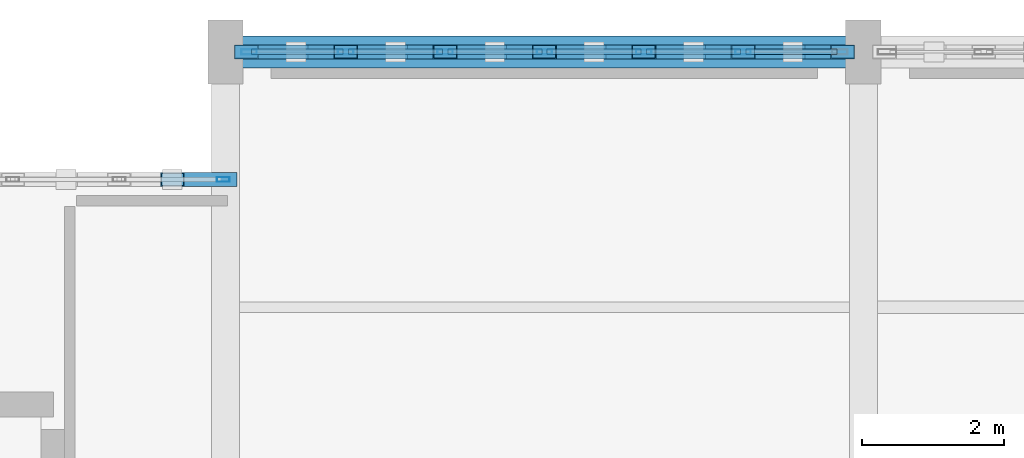
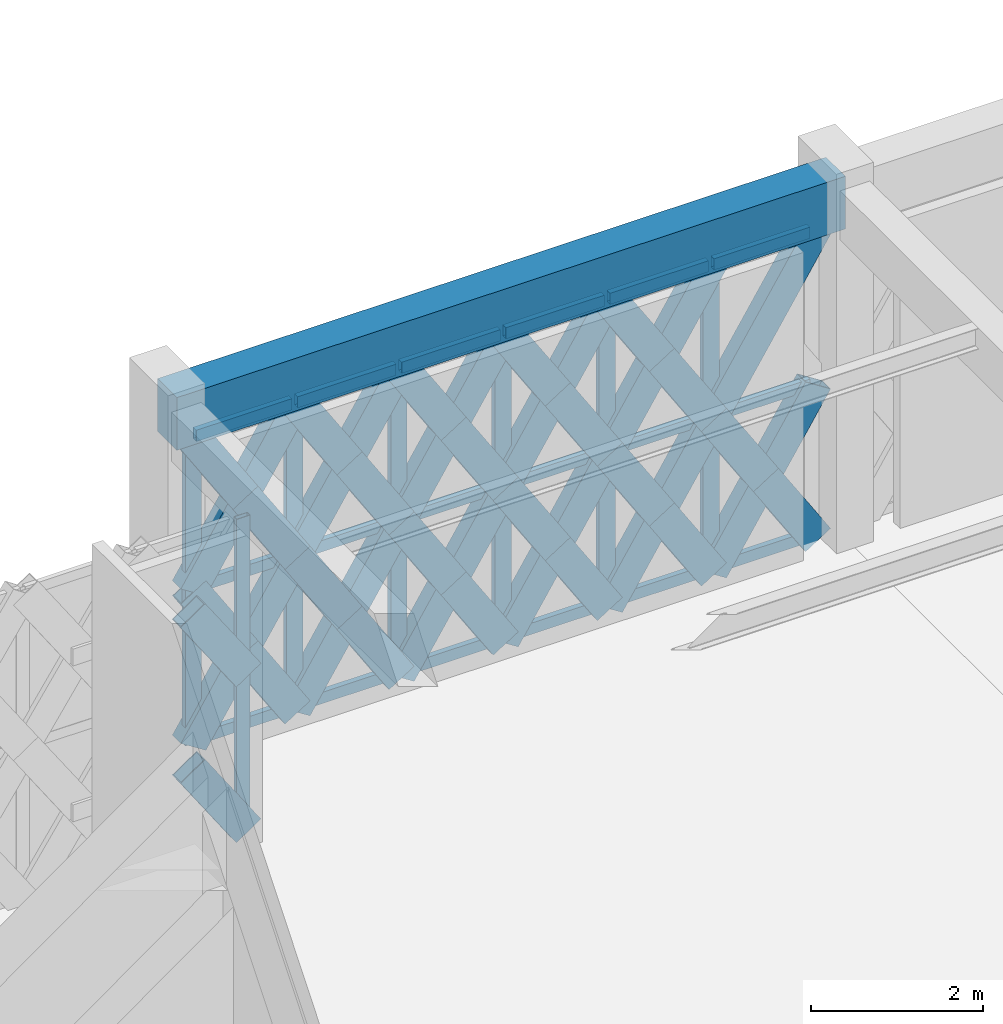
# One storey, part 43 of 86: 61 members, 1 beam, 2 elements without a shape of their own.
"""IFC4 building model written with IfcOpenShell, lengths in metres."""

from ifc_helpers import new_model, si_unit, direction, frame, origin, origin_2d, place, context, subcontext, project, spatial, rectangle, hollow_rectangle, extrude, material, material_profile, profile_set, type_object, element, aggregate, save


model = new_model("IFC4")

# Units and contexts
model_context = context("Model", 3, precision=1e-05, world=origin(), true_north=direction((0.0, 1.0)))
body_context = subcontext(model_context, "Body", "Model", "MODEL_VIEW")
ifc_project = project(units=[si_unit("LENGTHUNIT", "METRE"), si_unit("AREAUNIT", "SQUARE_METRE"), si_unit("VOLUMEUNIT", "CUBIC_METRE"), si_unit("PLANEANGLEUNIT", "RADIAN"), si_unit("MASSUNIT", "GRAM", prefix="KILO")], contexts=[model_context])

# Site, building, storey
site_placement = place(None, origin())
site = spatial("IfcSite", under=ifc_project, at=site_placement, CompositionType="ELEMENT")
building_placement = place(site_placement, origin())
building = spatial("IfcBuilding", under=site, at=building_placement, Name="Haizhuo Lancet Aquarium", CompositionType="ELEMENT")
storey_placement = place(building_placement, frame((0.0, 0.0, 16.199951171875)))
storey = spatial("IfcBuildingStorey", under=building, at=storey_placement, Name="L03", CompositionType="ELEMENT", Elevation=16.199951171875)

# Beam
ifc_material_1 = material(Name="Concrete C40/50", Category="concrete")
ifc_material_profile_1 = material_profile(ifc_material_1, rectangle(XDim=0.449951171875, YDim=0.75, at=origin_2d()), Name="RC-BM 450x750")
ifc_profile_set_1 = profile_set([ifc_material_profile_1], Name="Concrete C40/50")
beam_type = type_object("IfcBeamType", Name="BM-RC-450x750", PredefinedType="BEAM", material=ifc_profile_set_1)
beam_placement = place(storey_placement, frame((-18.0, 55.800048828125, 4.775146484375), z_axis=(1.0, 0.0, 0.0), x_axis=(0.0, 1.0, 0.0)))
element("IfcBeam", 1, at=beam_placement, inside=storey, type_object=beam_type, Name="L03 V5 primary girder BM-L03-V5-007", PredefinedType="BEAM", context=body_context, shape_type="SweptSolid", body=[
    extrude(rectangle(XDim=0.449951171875, YDim=0.75, at=origin_2d()), origin(), (0.0, 0.0, 1.0), 9.0),
])

# Curtain wall, member
ifc_material_2 = material(Name="Aluminium 6063-T6", Category="aluminium")
curtain_wall_type_1 = type_object("IfcCurtainWallType", Name="CWD-9000x4430", PredefinedType="NOTDEFINED", material=ifc_material_2)
curtain_wall_1_placement = place(storey_placement, origin())
curtain_wall_1 = element("IfcCurtainWall", 2, at=curtain_wall_1_placement, inside=storey, type_object=curtain_wall_type_1, Name="L03 curtain wall CW-V5-L03-160", PredefinedType="NOTDEFINED")
ifc_material_profile_2 = material_profile(ifc_material_2, hollow_rectangle(XDim=0.06494140625, YDim=0.179931640625, WallThickness=0.00390625, at=origin_2d()), Name="ALU-M 65x180x4")
ifc_profile_set_2 = profile_set([ifc_material_profile_2], Name="Aluminium 6063-T6")
member_type_1 = type_object("IfcMemberType", Name="CW-MUL-1", PredefinedType="MULLION", material=ifc_profile_set_2)
member_1_placement = place(storey_placement, frame((-18.031982421875, 54.0, 0.0), z_axis=(0.0, 0.0, 1.0), x_axis=(0.0, 1.0, 0.0)))
member_1 = element("IfcMember", 3, at=member_1_placement, type_object=member_type_1, Name="CWD-90x44 mullion 7", PredefinedType="MULLION", context=body_context, shape_type="SweptSolid", body=[
    extrude(hollow_rectangle(XDim=0.06494140625, YDim=0.179931640625, WallThickness=0.00390625, at=origin_2d()), origin(), (0.0, 0.0, 1.0), 4.43505859375),
])
aggregate(curtain_wall_1, [member_1])

# Curtain wall, members
curtain_wall_type_2 = type_object("IfcCurtainWallType", Name="CWD-8410x4400", PredefinedType="NOTDEFINED", material=ifc_material_2)
curtain_wall_2_placement = place(storey_placement, origin())
curtain_wall_2 = element("IfcCurtainWall", 4, at=curtain_wall_2_placement, inside=storey, type_object=curtain_wall_type_2, Name="L03 curtain wall CW-V5-L03-161", PredefinedType="NOTDEFINED")
ifc_material_profile_3 = material_profile(ifc_material_2, hollow_rectangle(XDim=0.074951171875, YDim=0.219970703125, WallThickness=0.0048828125, at=origin_2d()), Name="ALU-M 75x220x5")
ifc_profile_set_3 = profile_set([ifc_material_profile_3], Name="Aluminium 6063-T6")
member_type_2 = type_object("IfcMemberType", Name="CW-MUL-2", PredefinedType="MULLION", material=ifc_profile_set_3)
member_2_placement = place(storey_placement, frame((-17.6669921875, 55.800048828125, 0.0), z_axis=(0.0, 0.0, 1.0), x_axis=(0.0, 1.0, 0.0)))
member_2 = element("IfcMember", 5, at=member_2_placement, type_object=member_type_2, Name="CWD-84x44 mullion 1", PredefinedType="MULLION", context=body_context, shape_type="SweptSolid", body=[
    extrude(hollow_rectangle(XDim=0.074951171875, YDim=0.219970703125, WallThickness=0.0048828125, at=origin_2d()), origin(), (0.0, 0.0, 1.0), 4.400146484375),
])
member_3_placement = place(storey_placement, frame((-16.302978515625, 55.800048828125, 0.0), z_axis=(0.0, 0.0, 1.0), x_axis=(0.0, 1.0, 0.0)))
member_3 = element("IfcMember", 6, at=member_3_placement, type_object=member_type_2, Name="CWD-84x44 mullion 2", PredefinedType="MULLION", context=body_context, shape_type="SweptSolid", body=[
    extrude(hollow_rectangle(XDim=0.074951171875, YDim=0.219970703125, WallThickness=0.0048828125, at=origin_2d()), origin(), (0.0, 0.0, 1.0), 4.400146484375),
])
member_4_placement = place(storey_placement, frame((-14.902099609375, 55.800048828125, 0.0), z_axis=(0.0, 0.0, 1.0), x_axis=(0.0, 1.0, 0.0)))
member_4 = element("IfcMember", 7, at=member_4_placement, type_object=member_type_2, Name="CWD-84x44 mullion 3", PredefinedType="MULLION", context=body_context, shape_type="SweptSolid", body=[
    extrude(hollow_rectangle(XDim=0.074951171875, YDim=0.219970703125, WallThickness=0.0048828125, at=origin_2d()), origin(), (0.0, 0.0, 1.0), 4.400146484375),
])
member_5_placement = place(storey_placement, frame((-13.5, 55.800048828125, 0.0), z_axis=(0.0, 0.0, 1.0), x_axis=(0.0, 1.0, 0.0)))
member_5 = element("IfcMember", 8, at=member_5_placement, type_object=member_type_2, Name="CWD-84x44 mullion 4", PredefinedType="MULLION", context=body_context, shape_type="SweptSolid", body=[
    extrude(hollow_rectangle(XDim=0.074951171875, YDim=0.219970703125, WallThickness=0.0048828125, at=origin_2d()), origin(), (0.0, 0.0, 1.0), 4.400146484375),
])
member_6_placement = place(storey_placement, frame((-12.097900390625, 55.800048828125, 0.0), z_axis=(0.0, 0.0, 1.0), x_axis=(0.0, 1.0, 0.0)))
member_6 = element("IfcMember", 9, at=member_6_placement, type_object=member_type_2, Name="CWD-84x44 mullion 5", PredefinedType="MULLION", context=body_context, shape_type="SweptSolid", body=[
    extrude(hollow_rectangle(XDim=0.074951171875, YDim=0.219970703125, WallThickness=0.0048828125, at=origin_2d()), origin(), (0.0, 0.0, 1.0), 4.400146484375),
])
member_7_placement = place(storey_placement, frame((-10.697021484375, 55.800048828125, 0.0), z_axis=(0.0, 0.0, 1.0), x_axis=(0.0, 1.0, 0.0)))
member_7 = element("IfcMember", 10, at=member_7_placement, type_object=member_type_2, Name="CWD-84x44 mullion 6", PredefinedType="MULLION", context=body_context, shape_type="SweptSolid", body=[
    extrude(hollow_rectangle(XDim=0.074951171875, YDim=0.219970703125, WallThickness=0.0048828125, at=origin_2d()), origin(), (0.0, 0.0, 1.0), 4.400146484375),
])
ifc_material_profile_4 = material_profile(ifc_material_2, hollow_rectangle(XDim=0.074951171875, YDim=0.159912109375, WallThickness=0.00390625, at=origin_2d()), Name="ALU-T 75x160x4")
ifc_profile_set_4 = profile_set([ifc_material_profile_4], Name="Aluminium 6063-T6")
member_type_3 = type_object("IfcMemberType", Name="CW-TRN-2", PredefinedType="NOTDEFINED", material=ifc_profile_set_4)
member_8_placement = place(storey_placement, frame((-17.6298828125, 55.800048828125, 0.0380859375), z_axis=(1.0, 0.0, 0.0), x_axis=(0.0, 1.0, 0.0)))
member_8 = element("IfcMember", 11, at=member_8_placement, type_object=member_type_3, Name="CWD-84x44 transom 1.1", ObjectType="TRANSOM", PredefinedType="USERDEFINED", context=body_context, shape_type="SweptSolid", body=[
    extrude(hollow_rectangle(XDim=0.074951171875, YDim=0.159912109375, WallThickness=0.00390625, at=origin_2d()), origin(), (0.0, 0.0, 1.0), 1.288818359375),
])
member_9_placement = place(storey_placement, frame((-17.6298828125, 55.800048828125, 2.199951171875), z_axis=(1.0, 0.0, 0.0), x_axis=(0.0, 1.0, 0.0)))
member_9 = element("IfcMember", 12, at=member_9_placement, type_object=member_type_3, Name="CWD-84x44 transom 1.2", ObjectType="TRANSOM", PredefinedType="USERDEFINED", context=body_context, shape_type="SweptSolid", body=[
    extrude(hollow_rectangle(XDim=0.074951171875, YDim=0.159912109375, WallThickness=0.00390625, at=origin_2d()), origin(), (0.0, 0.0, 1.0), 1.288818359375),
])
member_10_placement = place(storey_placement, frame((-17.6298828125, 55.800048828125, 4.362060546875), z_axis=(1.0, 0.0, 0.0), x_axis=(0.0, 1.0, 0.0)))
member_10 = element("IfcMember", 13, at=member_10_placement, type_object=member_type_3, Name="CWD-84x44 transom 1.3", ObjectType="TRANSOM", PredefinedType="USERDEFINED", context=body_context, shape_type="SweptSolid", body=[
    extrude(hollow_rectangle(XDim=0.074951171875, YDim=0.159912109375, WallThickness=0.00390625, at=origin_2d()), origin(), (0.0, 0.0, 1.0), 1.288818359375),
])
member_11_placement = place(storey_placement, frame((-16.26611328125, 55.800048828125, 0.0380859375), z_axis=(1.0, 0.0, 0.0), x_axis=(0.0, 1.0, 0.0)))
member_11 = element("IfcMember", 14, at=member_11_placement, type_object=member_type_3, Name="CWD-84x44 transom 2.1", ObjectType="TRANSOM", PredefinedType="USERDEFINED", context=body_context, shape_type="SweptSolid", body=[
    extrude(hollow_rectangle(XDim=0.074951171875, YDim=0.159912109375, WallThickness=0.00390625, at=origin_2d()), origin(), (0.0, 0.0, 1.0), 1.3271484375),
])
member_12_placement = place(storey_placement, frame((-16.26611328125, 55.800048828125, 2.199951171875), z_axis=(1.0, 0.0, 0.0), x_axis=(0.0, 1.0, 0.0)))
member_12 = element("IfcMember", 15, at=member_12_placement, type_object=member_type_3, Name="CWD-84x44 transom 2.2", ObjectType="TRANSOM", PredefinedType="USERDEFINED", context=body_context, shape_type="SweptSolid", body=[
    extrude(hollow_rectangle(XDim=0.074951171875, YDim=0.159912109375, WallThickness=0.00390625, at=origin_2d()), origin(), (0.0, 0.0, 1.0), 1.3271484375),
])
member_13_placement = place(storey_placement, frame((-16.26611328125, 55.800048828125, 4.362060546875), z_axis=(1.0, 0.0, 0.0), x_axis=(0.0, 1.0, 0.0)))
member_13 = element("IfcMember", 16, at=member_13_placement, type_object=member_type_3, Name="CWD-84x44 transom 2.3", ObjectType="TRANSOM", PredefinedType="USERDEFINED", context=body_context, shape_type="SweptSolid", body=[
    extrude(hollow_rectangle(XDim=0.074951171875, YDim=0.159912109375, WallThickness=0.00390625, at=origin_2d()), origin(), (0.0, 0.0, 1.0), 1.3271484375),
])
member_14_placement = place(storey_placement, frame((-14.864013671875, 55.800048828125, 0.0380859375), z_axis=(1.0, 0.0, 0.0), x_axis=(0.0, 1.0, 0.0)))
member_14 = element("IfcMember", 17, at=member_14_placement, type_object=member_type_3, Name="CWD-84x44 transom 3.1", ObjectType="TRANSOM", PredefinedType="USERDEFINED", context=body_context, shape_type="SweptSolid", body=[
    extrude(hollow_rectangle(XDim=0.074951171875, YDim=0.159912109375, WallThickness=0.00390625, at=origin_2d()), origin(), (0.0, 0.0, 1.0), 1.326904296875),
])
member_15_placement = place(storey_placement, frame((-14.864013671875, 55.800048828125, 2.199951171875), z_axis=(1.0, 0.0, 0.0), x_axis=(0.0, 1.0, 0.0)))
member_15 = element("IfcMember", 18, at=member_15_placement, type_object=member_type_3, Name="CWD-84x44 transom 3.2", ObjectType="TRANSOM", PredefinedType="USERDEFINED", context=body_context, shape_type="SweptSolid", body=[
    extrude(hollow_rectangle(XDim=0.074951171875, YDim=0.159912109375, WallThickness=0.00390625, at=origin_2d()), origin(), (0.0, 0.0, 1.0), 1.326904296875),
])
member_16_placement = place(storey_placement, frame((-14.864013671875, 55.800048828125, 4.362060546875), z_axis=(1.0, 0.0, 0.0), x_axis=(0.0, 1.0, 0.0)))
member_16 = element("IfcMember", 19, at=member_16_placement, type_object=member_type_3, Name="CWD-84x44 transom 3.3", ObjectType="TRANSOM", PredefinedType="USERDEFINED", context=body_context, shape_type="SweptSolid", body=[
    extrude(hollow_rectangle(XDim=0.074951171875, YDim=0.159912109375, WallThickness=0.00390625, at=origin_2d()), origin(), (0.0, 0.0, 1.0), 1.326904296875),
])
member_17_placement = place(storey_placement, frame((-13.4619140625, 55.800048828125, 0.0380859375), z_axis=(1.0, 0.0, 0.0), x_axis=(0.0, 1.0, 0.0)))
member_17 = element("IfcMember", 20, at=member_17_placement, type_object=member_type_3, Name="CWD-84x44 transom 4.1", ObjectType="TRANSOM", PredefinedType="USERDEFINED", context=body_context, shape_type="SweptSolid", body=[
    extrude(hollow_rectangle(XDim=0.074951171875, YDim=0.159912109375, WallThickness=0.00390625, at=origin_2d()), origin(), (0.0, 0.0, 1.0), 1.325927734375),
])
member_18_placement = place(storey_placement, frame((-13.4619140625, 55.800048828125, 2.199951171875), z_axis=(1.0, 0.0, 0.0), x_axis=(0.0, 1.0, 0.0)))
member_18 = element("IfcMember", 21, at=member_18_placement, type_object=member_type_3, Name="CWD-84x44 transom 4.2", ObjectType="TRANSOM", PredefinedType="USERDEFINED", context=body_context, shape_type="SweptSolid", body=[
    extrude(hollow_rectangle(XDim=0.074951171875, YDim=0.159912109375, WallThickness=0.00390625, at=origin_2d()), origin(), (0.0, 0.0, 1.0), 1.325927734375),
])
member_19_placement = place(storey_placement, frame((-13.4619140625, 55.800048828125, 4.362060546875), z_axis=(1.0, 0.0, 0.0), x_axis=(0.0, 1.0, 0.0)))
member_19 = element("IfcMember", 22, at=member_19_placement, type_object=member_type_3, Name="CWD-84x44 transom 4.3", ObjectType="TRANSOM", PredefinedType="USERDEFINED", context=body_context, shape_type="SweptSolid", body=[
    extrude(hollow_rectangle(XDim=0.074951171875, YDim=0.159912109375, WallThickness=0.00390625, at=origin_2d()), origin(), (0.0, 0.0, 1.0), 1.325927734375),
])
member_20_placement = place(storey_placement, frame((-12.06103515625, 55.800048828125, 0.0380859375), z_axis=(1.0, 0.0, 0.0), x_axis=(0.0, 1.0, 0.0)))
member_20 = element("IfcMember", 23, at=member_20_placement, type_object=member_type_3, Name="CWD-84x44 transom 5.1", ObjectType="TRANSOM", PredefinedType="USERDEFINED", context=body_context, shape_type="SweptSolid", body=[
    extrude(hollow_rectangle(XDim=0.074951171875, YDim=0.159912109375, WallThickness=0.00390625, at=origin_2d()), origin(), (0.0, 0.0, 1.0), 1.3271484375),
])
member_21_placement = place(storey_placement, frame((-12.06103515625, 55.800048828125, 2.199951171875), z_axis=(1.0, 0.0, 0.0), x_axis=(0.0, 1.0, 0.0)))
member_21 = element("IfcMember", 24, at=member_21_placement, type_object=member_type_3, Name="CWD-84x44 transom 5.2", ObjectType="TRANSOM", PredefinedType="USERDEFINED", context=body_context, shape_type="SweptSolid", body=[
    extrude(hollow_rectangle(XDim=0.074951171875, YDim=0.159912109375, WallThickness=0.00390625, at=origin_2d()), origin(), (0.0, 0.0, 1.0), 1.3271484375),
])
member_22_placement = place(storey_placement, frame((-12.06103515625, 55.800048828125, 4.362060546875), z_axis=(1.0, 0.0, 0.0), x_axis=(0.0, 1.0, 0.0)))
member_22 = element("IfcMember", 25, at=member_22_placement, type_object=member_type_3, Name="CWD-84x44 transom 5.3", ObjectType="TRANSOM", PredefinedType="USERDEFINED", context=body_context, shape_type="SweptSolid", body=[
    extrude(hollow_rectangle(XDim=0.074951171875, YDim=0.159912109375, WallThickness=0.00390625, at=origin_2d()), origin(), (0.0, 0.0, 1.0), 1.3271484375),
])
member_23_placement = place(storey_placement, frame((-10.658935546875, 55.800048828125, 0.0380859375), z_axis=(1.0, 0.0, 0.0), x_axis=(0.0, 1.0, 0.0)))
member_23 = element("IfcMember", 26, at=member_23_placement, type_object=member_type_3, Name="CWD-84x44 transom 6.1", ObjectType="TRANSOM", PredefinedType="USERDEFINED", context=body_context, shape_type="SweptSolid", body=[
    extrude(hollow_rectangle(XDim=0.074951171875, YDim=0.159912109375, WallThickness=0.00390625, at=origin_2d()), origin(), (0.0, 0.0, 1.0), 1.288818359375),
])
member_24_placement = place(storey_placement, frame((-10.658935546875, 55.800048828125, 2.199951171875), z_axis=(1.0, 0.0, 0.0), x_axis=(0.0, 1.0, 0.0)))
member_24 = element("IfcMember", 27, at=member_24_placement, type_object=member_type_3, Name="CWD-84x44 transom 6.2", ObjectType="TRANSOM", PredefinedType="USERDEFINED", context=body_context, shape_type="SweptSolid", body=[
    extrude(hollow_rectangle(XDim=0.074951171875, YDim=0.159912109375, WallThickness=0.00390625, at=origin_2d()), origin(), (0.0, 0.0, 1.0), 1.288818359375),
])
member_25_placement = place(storey_placement, frame((-10.658935546875, 55.800048828125, 4.362060546875), z_axis=(1.0, 0.0, 0.0), x_axis=(0.0, 1.0, 0.0)))
member_25 = element("IfcMember", 28, at=member_25_placement, type_object=member_type_3, Name="CWD-84x44 transom 6.3", ObjectType="TRANSOM", PredefinedType="USERDEFINED", context=body_context, shape_type="SweptSolid", body=[
    extrude(hollow_rectangle(XDim=0.074951171875, YDim=0.159912109375, WallThickness=0.00390625, at=origin_2d()), origin(), (0.0, 0.0, 1.0), 1.288818359375),
])
aggregate(curtain_wall_2, [member_2, member_3, member_4, member_5, member_6, member_7, member_8, member_9, member_10, member_11, member_12, member_13, member_14, member_15, member_16, member_17, member_18, member_19, member_20, member_21, member_22, member_23, member_24, member_25])

# Members
ifc_material_3 = material(Name="Steel S355", Category="steel")
ifc_material_profile_5 = material_profile(ifc_material_3, hollow_rectangle(XDim=0.199951171875, YDim=0.39990234375, WallThickness=0.011962890625, at=origin_2d()), Name="RHS 200x400x12")
ifc_profile_set_5 = profile_set([ifc_material_profile_5], Name="Steel S355")
member_type_4 = type_object("IfcMemberType", Name="MEM-LB-RHS200x400", PredefinedType="BRACE", material=ifc_profile_set_5)
member_26_placement = place(storey_placement, frame((-18.0, 54.0, 0.0), z_axis=(-0.560158505884, 0.0, 0.828385446689), x_axis=(0.0, -1.0, 0.0)))
element("IfcMember", 29, at=member_26_placement, inside=storey, type_object=member_type_4, Name="Gothic lancet split diagonal brace CW-V5-L03-160 11B1", PredefinedType="BRACE", context=body_context, shape_type="SweptSolid", body=[
    extrude(hollow_rectangle(XDim=0.199951171875, YDim=0.39990234375, WallThickness=0.011962890625, at=origin_2d()), origin(), (0.0, 0.0, 1.0), 1.3388671875),
])
member_27_placement = place(storey_placement, frame((-18.0, 54.0, 2.218017578125), z_axis=(-0.560581813555, 0.0, 0.828099046196), x_axis=(0.0, -1.0, 0.0)))
element("IfcMember", 30, at=member_27_placement, inside=storey, type_object=member_type_4, Name="Gothic lancet split diagonal brace CW-V5-L03-160 12B1", PredefinedType="BRACE", context=body_context, shape_type="SweptSolid", body=[
    extrude(hollow_rectangle(XDim=0.199951171875, YDim=0.39990234375, WallThickness=0.011962890625, at=origin_2d()), origin(), (0.0, 0.0, 1.0), 1.337890625),
])
member_28_placement = place(storey_placement, frame((-17.705078125, 55.800048828125, 0.0), z_axis=(0.537456690616, 0.0, 0.843291352803), x_axis=(0.0, 1.0, 0.0)))
element("IfcMember", 31, at=member_28_placement, inside=storey, type_object=member_type_4, Name="Gothic lancet continuous diagonal brace CW-V5-L03-161 1A", PredefinedType="BRACE", context=body_context, shape_type="SweptSolid", body=[
    extrude(hollow_rectangle(XDim=0.199951171875, YDim=0.39990234375, WallThickness=0.011962890625, at=origin_2d()), origin(), (0.0, 0.0, 1.0), 2.60888671875),
])
for number, where, z_axis, x_axis, name in (
    (32, (-16.302978515625, 55.800048828125, 0.0), (-0.537347721811, 0.0, 0.843360792226), (0.0, -1.0, 0.0), "Gothic lancet split diagonal brace CW-V5-L03-161 1B1"),
    (33, (-17.00390625, 55.800048828125, 1.10009765625), (-0.537565656685, 0.0, 0.843221895323), (0.0, -1.0, 0.0), "Gothic lancet split diagonal brace CW-V5-L03-161 1B2"),
):
    element("IfcMember", number, at=place(storey_placement, frame(where, z_axis=z_axis, x_axis=x_axis)), inside=storey, type_object=member_type_4, Name=name, PredefinedType="BRACE", context=body_context, shape_type="SweptSolid", body=[
        extrude(hollow_rectangle(XDim=0.199951171875, YDim=0.39990234375, WallThickness=0.011962890625, at=origin_2d()), origin(), (0.0, 0.0, 1.0), 1.304443359375),
    ])
member_29_placement = place(storey_placement, frame((-17.705078125, 55.800048828125, 2.199951171875), z_axis=(0.537414277668, 0.0, 0.843318382438), x_axis=(0.0, 1.0, 0.0)))
element("IfcMember", 34, at=member_29_placement, inside=storey, type_object=member_type_4, Name="Gothic lancet continuous diagonal brace CW-V5-L03-161 2A", PredefinedType="BRACE", context=body_context, shape_type="SweptSolid", body=[
    extrude(hollow_rectangle(XDim=0.199951171875, YDim=0.39990234375, WallThickness=0.011962890625, at=origin_2d()), origin(), (0.0, 0.0, 1.0), 2.60888671875),
])
for number, where, z_axis, x_axis, name in (
    (35, (-16.302978515625, 55.800048828125, 2.199951171875), (-0.537347721811, 0.0, 0.843360792226), (0.0, -1.0, 0.0), "Gothic lancet split diagonal brace CW-V5-L03-161 2B1"),
    (36, (-17.00390625, 55.800048828125, 3.300048828125), (-0.537480823484, 0.0, 0.843275971664), (0.0, -1.0, 0.0), "Gothic lancet split diagonal brace CW-V5-L03-161 2B2"),
):
    element("IfcMember", number, at=place(storey_placement, frame(where, z_axis=z_axis, x_axis=x_axis)), inside=storey, type_object=member_type_4, Name=name, PredefinedType="BRACE", context=body_context, shape_type="SweptSolid", body=[
        extrude(hollow_rectangle(XDim=0.199951171875, YDim=0.39990234375, WallThickness=0.011962890625, at=origin_2d()), origin(), (0.0, 0.0, 1.0), 1.304443359375),
    ])
member_30_placement = place(storey_placement, frame((-16.302978515625, 55.800048828125, 0.0), z_axis=(0.537123805961, 0.0, 0.843503418529), x_axis=(0.0, 1.0, 0.0)))
element("IfcMember", 37, at=member_30_placement, inside=storey, type_object=member_type_4, Name="Gothic lancet continuous diagonal brace CW-V5-L03-161 3A", PredefinedType="BRACE", context=body_context, shape_type="SweptSolid", body=[
    extrude(hollow_rectangle(XDim=0.199951171875, YDim=0.39990234375, WallThickness=0.011962890625, at=origin_2d()), origin(), (0.0, 0.0, 1.0), 2.608154296875),
])
member_31_placement = place(storey_placement, frame((-14.902099609375, 55.800048828125, 0.0), z_axis=(-0.536814913407, 0.0, 0.843700034813), x_axis=(0.0, -1.0, 0.0)))
element("IfcMember", 38, at=member_31_placement, inside=storey, type_object=member_type_4, Name="Gothic lancet split diagonal brace CW-V5-L03-161 3B1", PredefinedType="BRACE", context=body_context, shape_type="SweptSolid", body=[
    extrude(hollow_rectangle(XDim=0.199951171875, YDim=0.39990234375, WallThickness=0.011962890625, at=origin_2d()), origin(), (0.0, 0.0, 1.0), 1.303955078125),
])
member_32_placement = place(storey_placement, frame((-15.60205078125, 55.800048828125, 1.10009765625), z_axis=(-0.537432551071, 0.0, 0.843306737225), x_axis=(0.0, -1.0, 0.0)))
element("IfcMember", 39, at=member_32_placement, inside=storey, type_object=member_type_4, Name="Gothic lancet split diagonal brace CW-V5-L03-161 3B2", PredefinedType="BRACE", context=body_context, shape_type="SweptSolid", body=[
    extrude(hollow_rectangle(XDim=0.199951171875, YDim=0.39990234375, WallThickness=0.011962890625, at=origin_2d()), origin(), (0.0, 0.0, 1.0), 1.30419921875),
])
member_33_placement = place(storey_placement, frame((-16.302978515625, 55.800048828125, 2.199951171875), z_axis=(0.537081397964, 0.0, 0.843530421479), x_axis=(0.0, 1.0, 0.0)))
element("IfcMember", 40, at=member_33_placement, inside=storey, type_object=member_type_4, Name="Gothic lancet continuous diagonal brace CW-V5-L03-161 4A", PredefinedType="BRACE", context=body_context, shape_type="SweptSolid", body=[
    extrude(hollow_rectangle(XDim=0.199951171875, YDim=0.39990234375, WallThickness=0.011962890625, at=origin_2d()), origin(), (0.0, 0.0, 1.0), 2.6083984375),
])
member_34_placement = place(storey_placement, frame((-14.902099609375, 55.800048828125, 2.199951171875), z_axis=(-0.536814913407, 0.0, 0.843700034813), x_axis=(0.0, -1.0, 0.0)))
element("IfcMember", 41, at=member_34_placement, inside=storey, type_object=member_type_4, Name="Gothic lancet split diagonal brace CW-V5-L03-161 4B1", PredefinedType="BRACE", context=body_context, shape_type="SweptSolid", body=[
    extrude(hollow_rectangle(XDim=0.199951171875, YDim=0.39990234375, WallThickness=0.011962890625, at=origin_2d()), origin(), (0.0, 0.0, 1.0), 1.303955078125),
])
member_35_placement = place(storey_placement, frame((-15.60205078125, 55.800048828125, 3.300048828125), z_axis=(-0.537347721811, 0.0, 0.843360792226), x_axis=(0.0, -1.0, 0.0)))
element("IfcMember", 42, at=member_35_placement, inside=storey, type_object=member_type_4, Name="Gothic lancet split diagonal brace CW-V5-L03-161 4B2", PredefinedType="BRACE", context=body_context, shape_type="SweptSolid", body=[
    extrude(hollow_rectangle(XDim=0.199951171875, YDim=0.39990234375, WallThickness=0.011962890625, at=origin_2d()), origin(), (0.0, 0.0, 1.0), 1.304443359375),
])
member_36_placement = place(storey_placement, frame((-14.902099609375, 55.800048828125, 0.0), z_axis=(0.537456690616, 0.0, 0.843291352803), x_axis=(0.0, 1.0, 0.0)))
element("IfcMember", 43, at=member_36_placement, inside=storey, type_object=member_type_4, Name="Gothic lancet continuous diagonal brace CW-V5-L03-161 5A", PredefinedType="BRACE", context=body_context, shape_type="SweptSolid", body=[
    extrude(hollow_rectangle(XDim=0.199951171875, YDim=0.39990234375, WallThickness=0.011962890625, at=origin_2d()), origin(), (0.0, 0.0, 1.0), 2.60888671875),
])
for number, where, z_axis, x_axis, name in (
    (44, (-13.5, 55.800048828125, 0.0), (-0.537347721811, 0.0, 0.843360792226), (0.0, -1.0, 0.0), "Gothic lancet split diagonal brace CW-V5-L03-161 5B1"),
    (45, (-14.200927734375, 55.800048828125, 1.10009765625), (-0.537565656685, 0.0, 0.843221895323), (0.0, -1.0, 0.0), "Gothic lancet split diagonal brace CW-V5-L03-161 5B2"),
):
    element("IfcMember", number, at=place(storey_placement, frame(where, z_axis=z_axis, x_axis=x_axis)), inside=storey, type_object=member_type_4, Name=name, PredefinedType="BRACE", context=body_context, shape_type="SweptSolid", body=[
        extrude(hollow_rectangle(XDim=0.199951171875, YDim=0.39990234375, WallThickness=0.011962890625, at=origin_2d()), origin(), (0.0, 0.0, 1.0), 1.304443359375),
    ])
member_37_placement = place(storey_placement, frame((-14.902099609375, 55.800048828125, 2.199951171875), z_axis=(0.537414277668, 0.0, 0.843318382438), x_axis=(0.0, 1.0, 0.0)))
element("IfcMember", 46, at=member_37_placement, inside=storey, type_object=member_type_4, Name="Gothic lancet continuous diagonal brace CW-V5-L03-161 6A", PredefinedType="BRACE", context=body_context, shape_type="SweptSolid", body=[
    extrude(hollow_rectangle(XDim=0.199951171875, YDim=0.39990234375, WallThickness=0.011962890625, at=origin_2d()), origin(), (0.0, 0.0, 1.0), 2.60888671875),
])
for number, where, z_axis, x_axis, name in (
    (47, (-13.5, 55.800048828125, 2.199951171875), (-0.537347721811, 0.0, 0.843360792226), (0.0, -1.0, 0.0), "Gothic lancet split diagonal brace CW-V5-L03-161 6B1"),
    (48, (-14.200927734375, 55.800048828125, 3.300048828125), (-0.537480823484, 0.0, 0.843275971664), (0.0, -1.0, 0.0), "Gothic lancet split diagonal brace CW-V5-L03-161 6B2"),
):
    element("IfcMember", number, at=place(storey_placement, frame(where, z_axis=z_axis, x_axis=x_axis)), inside=storey, type_object=member_type_4, Name=name, PredefinedType="BRACE", context=body_context, shape_type="SweptSolid", body=[
        extrude(hollow_rectangle(XDim=0.199951171875, YDim=0.39990234375, WallThickness=0.011962890625, at=origin_2d()), origin(), (0.0, 0.0, 1.0), 1.304443359375),
    ])
member_38_placement = place(storey_placement, frame((-13.5, 55.800048828125, 0.0), z_axis=(0.537456690616, 0.0, 0.843291352803), x_axis=(0.0, 1.0, 0.0)))
element("IfcMember", 49, at=member_38_placement, inside=storey, type_object=member_type_4, Name="Gothic lancet continuous diagonal brace CW-V5-L03-161 7A", PredefinedType="BRACE", context=body_context, shape_type="SweptSolid", body=[
    extrude(hollow_rectangle(XDim=0.199951171875, YDim=0.39990234375, WallThickness=0.011962890625, at=origin_2d()), origin(), (0.0, 0.0, 1.0), 2.60888671875),
])
member_39_placement = place(storey_placement, frame((-12.097900390625, 55.800048828125, 0.0), z_axis=(-0.537480823484, 0.0, 0.843275971664), x_axis=(0.0, -1.0, 0.0)))
element("IfcMember", 50, at=member_39_placement, inside=storey, type_object=member_type_4, Name="Gothic lancet split diagonal brace CW-V5-L03-161 7B1", PredefinedType="BRACE", context=body_context, shape_type="SweptSolid", body=[
    extrude(hollow_rectangle(XDim=0.199951171875, YDim=0.39990234375, WallThickness=0.011962890625, at=origin_2d()), origin(), (0.0, 0.0, 1.0), 1.304443359375),
])
member_40_placement = place(storey_placement, frame((-12.799072265625, 55.800048828125, 1.10009765625), z_axis=(-0.537432551071, 0.0, 0.843306737225), x_axis=(0.0, -1.0, 0.0)))
element("IfcMember", 51, at=member_40_placement, inside=storey, type_object=member_type_4, Name="Gothic lancet split diagonal brace CW-V5-L03-161 7B2", PredefinedType="BRACE", context=body_context, shape_type="SweptSolid", body=[
    extrude(hollow_rectangle(XDim=0.199951171875, YDim=0.39990234375, WallThickness=0.011962890625, at=origin_2d()), origin(), (0.0, 0.0, 1.0), 1.30419921875),
])
member_41_placement = place(storey_placement, frame((-13.5, 55.800048828125, 2.199951171875), z_axis=(0.537414277668, 0.0, 0.843318382438), x_axis=(0.0, 1.0, 0.0)))
element("IfcMember", 52, at=member_41_placement, inside=storey, type_object=member_type_4, Name="Gothic lancet continuous diagonal brace CW-V5-L03-161 8A", PredefinedType="BRACE", context=body_context, shape_type="SweptSolid", body=[
    extrude(hollow_rectangle(XDim=0.199951171875, YDim=0.39990234375, WallThickness=0.011962890625, at=origin_2d()), origin(), (0.0, 0.0, 1.0), 2.60888671875),
])
for number, where, z_axis, x_axis, name in (
    (53, (-12.097900390625, 55.800048828125, 2.199951171875), (-0.537480823484, 0.0, 0.843275971664), (0.0, -1.0, 0.0), "Gothic lancet split diagonal brace CW-V5-L03-161 8B1"),
    (54, (-12.799072265625, 55.800048828125, 3.300048828125), (-0.537347721811, 0.0, 0.843360792226), (0.0, -1.0, 0.0), "Gothic lancet split diagonal brace CW-V5-L03-161 8B2"),
):
    element("IfcMember", number, at=place(storey_placement, frame(where, z_axis=z_axis, x_axis=x_axis)), inside=storey, type_object=member_type_4, Name=name, PredefinedType="BRACE", context=body_context, shape_type="SweptSolid", body=[
        extrude(hollow_rectangle(XDim=0.199951171875, YDim=0.39990234375, WallThickness=0.011962890625, at=origin_2d()), origin(), (0.0, 0.0, 1.0), 1.304443359375),
    ])
member_42_placement = place(storey_placement, frame((-12.097900390625, 55.800048828125, 0.0), z_axis=(0.537123805961, 0.0, 0.843503418529), x_axis=(0.0, 1.0, 0.0)))
element("IfcMember", 55, at=member_42_placement, inside=storey, type_object=member_type_4, Name="Gothic lancet continuous diagonal brace CW-V5-L03-161 9A", PredefinedType="BRACE", context=body_context, shape_type="SweptSolid", body=[
    extrude(hollow_rectangle(XDim=0.199951171875, YDim=0.39990234375, WallThickness=0.011962890625, at=origin_2d()), origin(), (0.0, 0.0, 1.0), 2.608154296875),
])
member_43_placement = place(storey_placement, frame((-10.697021484375, 55.800048828125, 0.0), z_axis=(-0.537347721811, 0.0, 0.843360792226), x_axis=(0.0, -1.0, 0.0)))
element("IfcMember", 56, at=member_43_placement, inside=storey, type_object=member_type_4, Name="Gothic lancet split diagonal brace CW-V5-L03-161 9B1", PredefinedType="BRACE", context=body_context, shape_type="SweptSolid", body=[
    extrude(hollow_rectangle(XDim=0.199951171875, YDim=0.39990234375, WallThickness=0.011962890625, at=origin_2d()), origin(), (0.0, 0.0, 1.0), 1.304443359375),
])
member_44_placement = place(storey_placement, frame((-11.39794921875, 55.800048828125, 1.10009765625), z_axis=(-0.536899726761, 0.0, 0.843646065245), x_axis=(0.0, -1.0, 0.0)))
element("IfcMember", 57, at=member_44_placement, inside=storey, type_object=member_type_4, Name="Gothic lancet split diagonal brace CW-V5-L03-161 9B2", PredefinedType="BRACE", context=body_context, shape_type="SweptSolid", body=[
    extrude(hollow_rectangle(XDim=0.199951171875, YDim=0.39990234375, WallThickness=0.011962890625, at=origin_2d()), origin(), (0.0, 0.0, 1.0), 1.3037109375),
])
member_45_placement = place(storey_placement, frame((-12.097900390625, 55.800048828125, 2.199951171875), z_axis=(0.537081397964, 0.0, 0.843530421479), x_axis=(0.0, 1.0, 0.0)))
element("IfcMember", 58, at=member_45_placement, inside=storey, type_object=member_type_4, Name="Gothic lancet continuous diagonal brace CW-V5-L03-161 10A", PredefinedType="BRACE", context=body_context, shape_type="SweptSolid", body=[
    extrude(hollow_rectangle(XDim=0.199951171875, YDim=0.39990234375, WallThickness=0.011962890625, at=origin_2d()), origin(), (0.0, 0.0, 1.0), 2.6083984375),
])
member_46_placement = place(storey_placement, frame((-10.697021484375, 55.800048828125, 2.199951171875), z_axis=(-0.537347721811, 0.0, 0.843360792226), x_axis=(0.0, -1.0, 0.0)))
element("IfcMember", 59, at=member_46_placement, inside=storey, type_object=member_type_4, Name="Gothic lancet split diagonal brace CW-V5-L03-161 10B1", PredefinedType="BRACE", context=body_context, shape_type="SweptSolid", body=[
    extrude(hollow_rectangle(XDim=0.199951171875, YDim=0.39990234375, WallThickness=0.011962890625, at=origin_2d()), origin(), (0.0, 0.0, 1.0), 1.304443359375),
])
member_47_placement = place(storey_placement, frame((-11.39794921875, 55.800048828125, 3.300048828125), z_axis=(-0.536814913407, 0.0, 0.843700034813), x_axis=(0.0, -1.0, 0.0)))
element("IfcMember", 60, at=member_47_placement, inside=storey, type_object=member_type_4, Name="Gothic lancet split diagonal brace CW-V5-L03-161 10B2", PredefinedType="BRACE", context=body_context, shape_type="SweptSolid", body=[
    extrude(hollow_rectangle(XDim=0.199951171875, YDim=0.39990234375, WallThickness=0.011962890625, at=origin_2d()), origin(), (0.0, 0.0, 1.0), 1.303955078125),
])
member_48_placement = place(storey_placement, frame((-10.697021484375, 55.800048828125, 0.0), z_axis=(0.537456690616, 0.0, 0.843291352803), x_axis=(0.0, 1.0, 0.0)))
element("IfcMember", 61, at=member_48_placement, inside=storey, type_object=member_type_4, Name="Gothic lancet continuous diagonal brace CW-V5-L03-161 11A", PredefinedType="BRACE", context=body_context, shape_type="SweptSolid", body=[
    extrude(hollow_rectangle(XDim=0.199951171875, YDim=0.39990234375, WallThickness=0.011962890625, at=origin_2d()), origin(), (0.0, 0.0, 1.0), 2.60888671875),
])
member_49_placement = place(storey_placement, frame((-9.294921875, 55.800048828125, 0.0), z_axis=(-0.537480823484, 0.0, 0.843275971664), x_axis=(0.0, -1.0, 0.0)))
element("IfcMember", 62, at=member_49_placement, inside=storey, type_object=member_type_4, Name="Gothic lancet split diagonal brace CW-V5-L03-161 11B1", PredefinedType="BRACE", context=body_context, shape_type="SweptSolid", body=[
    extrude(hollow_rectangle(XDim=0.199951171875, YDim=0.39990234375, WallThickness=0.011962890625, at=origin_2d()), origin(), (0.0, 0.0, 1.0), 1.304443359375),
])
member_50_placement = place(storey_placement, frame((-9.99609375, 55.800048828125, 1.10009765625), z_axis=(-0.537432551071, 0.0, 0.843306737225), x_axis=(0.0, -1.0, 0.0)))
element("IfcMember", 63, at=member_50_placement, inside=storey, type_object=member_type_4, Name="Gothic lancet split diagonal brace CW-V5-L03-161 11B2", PredefinedType="BRACE", context=body_context, shape_type="SweptSolid", body=[
    extrude(hollow_rectangle(XDim=0.199951171875, YDim=0.39990234375, WallThickness=0.011962890625, at=origin_2d()), origin(), (0.0, 0.0, 1.0), 1.30419921875),
])
member_51_placement = place(storey_placement, frame((-10.697021484375, 55.800048828125, 2.199951171875), z_axis=(0.537414277668, 0.0, 0.843318382438), x_axis=(0.0, 1.0, 0.0)))
element("IfcMember", 64, at=member_51_placement, inside=storey, type_object=member_type_4, Name="Gothic lancet continuous diagonal brace CW-V5-L03-161 12A", PredefinedType="BRACE", context=body_context, shape_type="SweptSolid", body=[
    extrude(hollow_rectangle(XDim=0.199951171875, YDim=0.39990234375, WallThickness=0.011962890625, at=origin_2d()), origin(), (0.0, 0.0, 1.0), 2.60888671875),
])

save(model, "model.ifc")
